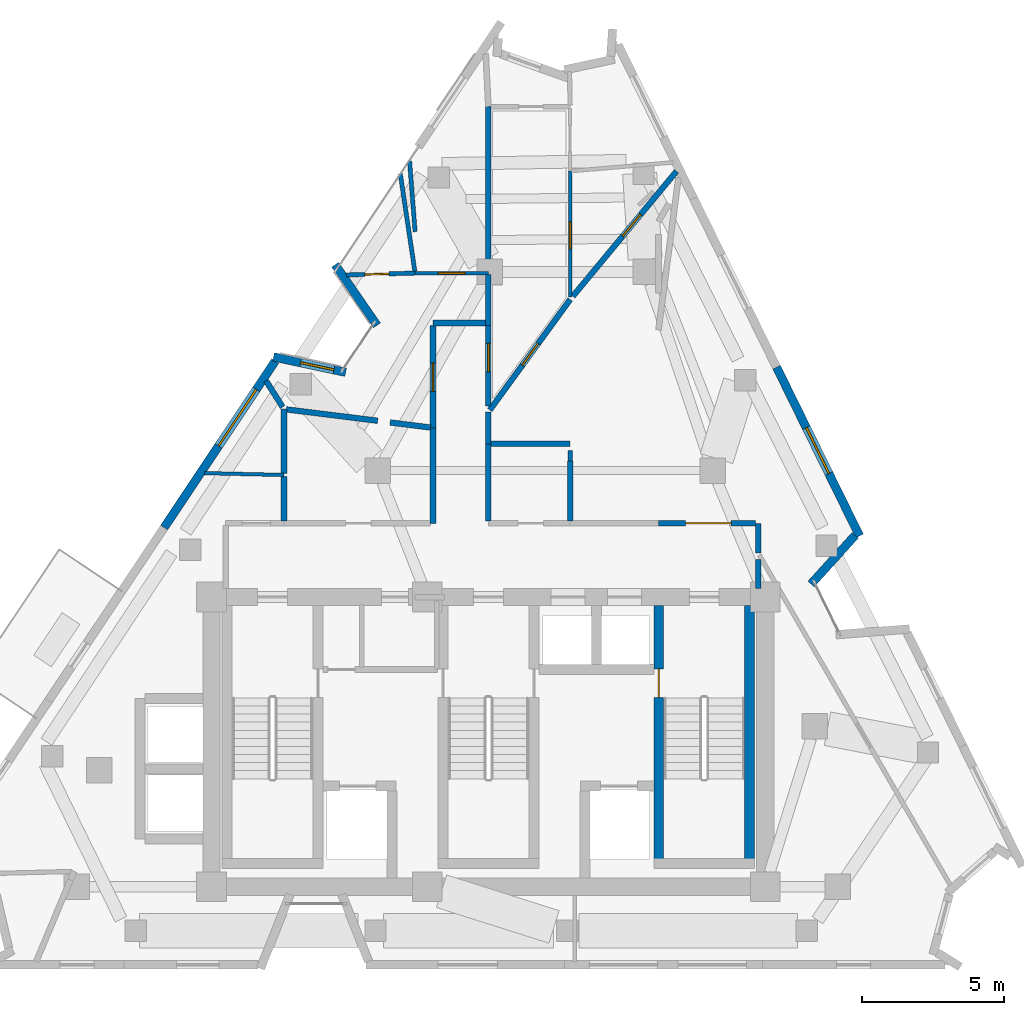
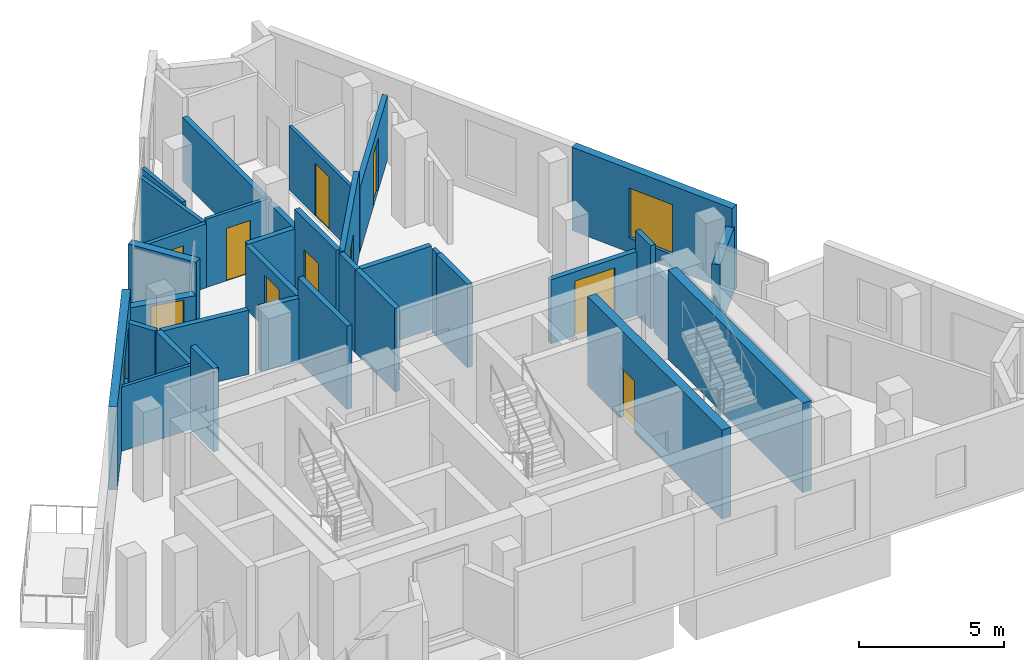
# One storey, part 6 of 10: 34 walls, 9 doors, 3 windows, 12 openings.
"""IFC4 building model written with IfcOpenShell, lengths in metres."""

from ifc_helpers import new_model, si_unit, direction, frame, frame_2d, origin, place, context, subcontext, project, spatial, rectangle, extrude, material, layer, layer_set, type_object, element, fill, save


model = new_model("IFC4")

# Units and contexts
model_context = context("Model", 3, precision=1e-05, world=origin(), true_north=direction((0.0, 1.0)))
body_context = subcontext(model_context, "Body", "Model", "MODEL_VIEW")
ifc_project = project(units=[si_unit("LENGTHUNIT", "METRE"), si_unit("AREAUNIT", "SQUARE_METRE"), si_unit("VOLUMEUNIT", "CUBIC_METRE"), si_unit("PLANEANGLEUNIT", "RADIAN"), si_unit("MASSUNIT", "GRAM", prefix="KILO")], contexts=[model_context])

# Site, building, storey
site_placement = place(None, origin())
site = spatial("IfcSite", under=ifc_project, at=site_placement, CompositionType="ELEMENT")
building_placement = place(site_placement, origin())
building = spatial("IfcBuilding", under=site, at=building_placement, Name="Almagre Mirador Tower", CompositionType="ELEMENT")
storey_placement = place(building_placement, frame((0.0, 0.0, 270.75)))
storey = spatial("IfcBuildingStorey", under=building, at=storey_placement, Name="L70", CompositionType="ELEMENT", Elevation=270.75)

# Wall, opening, window
ifc_material_1 = material(Name="Precast concrete C50/60", Category="concrete")
ifc_layer_1 = layer(ifc_material_1, 0.300048828125)
ifc_layer_set_1 = layer_set([ifc_layer_1], Name="Precast concrete C50/60")
wall_type_1 = type_object("IfcWallType", Name="WAL-EXT-300", PredefinedType="SOLIDWALL", material=ifc_layer_set_1)
wall_1_placement = place(storey_placement, frame((29.735107421875, 23.208251953125, 0.0), z_axis=(0.0, 0.0, 1.0), x_axis=(0.978045557022, -0.208391190766, 0.0)))
wall_1 = element("IfcWall", 1, at=wall_1_placement, inside=storey, type_object=wall_type_1, Name="L70 expressed almagre precast frame wall 01", PredefinedType="SOLIDWALL", context=body_context, shape_type="SweptSolid", body=[
    extrude(rectangle(XDim=2.59375, YDim=0.300048828125, at=frame_2d((1.296875, 0.0))), origin(), (0.0, 0.0, 1.0), 2.696044921875),
])
opening_1_placement = place(wall_1_placement, frame((0.97265625, 0.0, 0.800048828125)))
opening_1 = element("IfcOpeningElement", 2, at=opening_1_placement, cuts=wall_1, Name="Opening WN-04", PredefinedType="OPENING", context=body_context, shape_type="SweptSolid", body=[
    extrude(rectangle(XDim=1.199951171875, YDim=1.800048828125, at=frame_2d((0.60009765625, 0.89990234375))), frame((0.0, 0.159902, 0.0), z_axis=(0.0, -1.0, 0.0), x_axis=(1.0, 0.0, 0.0)), (0.0, 0.0, 1.0), 0.320049),
])
ifc_material_2 = material(Name="Dark solar-control laminated hurricane glass", Category="glass")
window_type_1 = type_object("IfcWindowType", Name="WIN-1200X1800", PartitioningType="SINGLE_PANEL", PredefinedType="WINDOW", material=ifc_material_2)
window_1_placement = place(opening_1_placement, origin())
window_1 = element("IfcWindow", 3, at=window_1_placement, inside=storey, type_object=window_type_1, Name="L70 recessed hurricane window UG-ST", OverallHeight=1.800048828125, OverallWidth=1.199951171875, PartitioningType="SINGLE_PANEL", PredefinedType="WINDOW", context=body_context, shape_type="SweptSolid", body=[
    extrude(rectangle(XDim=1.199951171875, YDim=1.800048828125, at=frame_2d((0.60009765625, 0.89990234375))), frame((0.0, 0.030029296875, 0.0), z_axis=(0.0, -1.0, 0.0), x_axis=(1.0, 0.0, 0.0)), (0.0, 0.0, 1.0), 0.06005859375),
])
fill(opening_1, window_1)

# Wall
wall_2_placement = place(storey_placement, frame((33.37548828125, 24.31982421875, 0.0), z_axis=(0.0, 0.0, 1.0), x_axis=(-0.567814329896, 0.823156659916, 0.0)))
element("IfcWall", 4, at=wall_2_placement, inside=storey, type_object=wall_type_1, Name="L70 expressed almagre precast frame wall 02", PredefinedType="SOLIDWALL", context=body_context, shape_type="SweptSolid", body=[
    extrude(rectangle(XDim=2.593994140625, YDim=0.300048828125, at=frame_2d((1.296875, 0.0))), origin(), (0.0, 0.0, 1.0), 2.696044921875),
])

# Wall, opening, window
wall_3_placement = place(storey_placement, frame((47.44970703125, 22.848388671875, 0.0), z_axis=(0.0, 0.0, 1.0), x_axis=(0.441291922586, -0.897363604711, 0.0)))
wall_3 = element("IfcWall", 5, at=wall_3_placement, inside=storey, type_object=wall_type_1, Name="L70 expressed almagre precast frame wall 10", PredefinedType="SOLIDWALL", context=body_context, shape_type="SweptSolid", body=[
    extrude(rectangle(XDim=6.6240234375, YDim=0.300048828125, at=frame_2d((3.31201171875, 0.0))), origin(), (0.0, 0.0, 1.0), 3.5),
])
opening_2_placement = place(wall_3_placement, frame((2.375, 0.0, 0.60009765625)))
opening_2 = element("IfcOpeningElement", 6, at=opening_2_placement, cuts=wall_3, Name="Opening WN-01", PredefinedType="OPENING", context=body_context, shape_type="SweptSolid", body=[
    extrude(rectangle(XDim=1.800048828125, YDim=2.10009765625, at=frame_2d((0.89990234375, 1.050048828125))), frame((0.0, 0.159902, 0.0), z_axis=(0.0, -1.0, 0.0), x_axis=(1.0, 0.0, 0.0)), (0.0, 0.0, 1.0), 0.320049),
])
ifc_material_3 = material(Name="Dark solar-control laminated hurricane glass", Category="glass")
window_type_2 = type_object("IfcWindowType", Name="WIN-1800X2100", PartitioningType="DOUBLE_PANEL_VERTICAL", PredefinedType="WINDOW", material=ifc_material_3)
window_2_placement = place(opening_2_placement, origin())
window_2 = element("IfcWindow", 7, at=window_2_placement, inside=storey, type_object=window_type_2, Name="L70 recessed hurricane window L70-RST-F", OverallHeight=2.10009765625, OverallWidth=1.800048828125, PartitioningType="SINGLE_PANEL", PredefinedType="WINDOW", context=body_context, shape_type="SweptSolid", body=[
    extrude(rectangle(XDim=1.800048828125, YDim=2.10009765625, at=frame_2d((0.89990234375, 1.050048828125))), frame((0.0, 0.030029296875, 0.0), z_axis=(0.0, -1.0, 0.0), x_axis=(1.0, 0.0, 0.0)), (0.0, 0.0, 1.0), 0.06005859375),
])
fill(opening_2, window_2)

# Wall
wall_4_placement = place(storey_placement, frame((50.217041015625, 16.926025390625, 0.0), z_axis=(0.0, 0.0, 1.0), x_axis=(-0.670816609781, -0.741623270968, 0.0)))
element("IfcWall", 8, at=wall_4_placement, inside=storey, type_object=wall_type_1, Name="L70 expressed almagre precast frame wall 11", PredefinedType="SOLIDWALL", context=body_context, shape_type="SweptSolid", body=[
    extrude(rectangle(XDim=2.313720703125, YDim=0.300048828125, at=frame_2d((1.15673828125, 0.0))), origin(), (0.0, 0.0, 1.0), 2.696044921875),
])

# Wall, opening, window
wall_5_placement = place(storey_placement, frame((25.880859375, 17.200439453125, 0.0), z_axis=(0.0, 0.0, 1.0), x_axis=(0.555219664778, 0.831703747643, 0.0)))
wall_5 = element("IfcWall", 9, at=wall_5_placement, inside=storey, type_object=wall_type_1, Name="L70 expressed almagre precast frame wall 32", PredefinedType="SOLIDWALL", context=body_context, shape_type="SweptSolid", body=[
    extrude(rectangle(XDim=7.04833984375, YDim=0.300048828125, at=frame_2d((3.524169921875, 0.0))), origin(), (0.0, 0.0, 1.0), 3.5),
])
opening_3_placement = place(wall_5_placement, frame((3.449951171875, 0.0, 0.60009765625)))
opening_3 = element("IfcOpeningElement", 10, at=opening_3_placement, cuts=wall_5, Name="Opening WN-02", PredefinedType="OPENING", context=body_context, shape_type="SweptSolid", body=[
    extrude(rectangle(XDim=2.39990234375, YDim=2.10009765625, at=frame_2d((1.199951171875, 1.050048828125))), frame((0.0, 0.159902, 0.0), z_axis=(0.0, -1.0, 0.0), x_axis=(1.0, 0.0, 0.0)), (0.0, 0.0, 1.0), 0.320049),
])
ifc_material_4 = material(Name="Dark solar-control laminated hurricane glass", Category="glass")
window_type_3 = type_object("IfcWindowType", Name="WIN-2400X2100", PartitioningType="TRIPLE_PANEL_VERTICAL", PredefinedType="WINDOW", material=ifc_material_4)
window_3_placement = place(opening_3_placement, origin())
window_3 = element("IfcWindow", 11, at=window_3_placement, inside=storey, type_object=window_type_3, Name="L70 recessed hurricane window L70-UD-KT", OverallHeight=2.10009765625, OverallWidth=2.39990234375, PartitioningType="SINGLE_PANEL", PredefinedType="WINDOW", context=body_context, shape_type="SweptSolid", body=[
    extrude(rectangle(XDim=2.39990234375, YDim=2.10009765625, at=frame_2d((1.199951171875, 1.050048828125))), frame((0.0, 0.030029296875, 0.0), z_axis=(0.0, -1.0, 0.0), x_axis=(1.0, 0.0, 0.0)), (0.0, 0.0, 1.0), 0.06005859375),
])
fill(opening_3, window_3)

# Wall
ifc_material_5 = material(Name="Gypsum acoustic stud partition", Category="other")
ifc_layer_2 = layer(ifc_material_5, 0.125)
ifc_layer_set_2 = layer_set([ifc_layer_2], Name="Gypsum acoustic stud partition")
wall_type_2 = type_object("IfcWallType", Name="WAL-PRT-125-UTL", PredefinedType="PARTITIONING", material=ifc_layer_set_2)
wall_6_placement = place(storey_placement, frame((30.10009765625, 19.050048828125, 0.0), z_axis=(0.0, 0.0, 1.0), x_axis=(-0.99972281558, 0.023543406909, 0.0)))
element("IfcWall", 12, at=wall_6_placement, inside=storey, type_object=wall_type_2, Name="L70 interior partition 026", PredefinedType="PARTITIONING", context=body_context, shape_type="SweptSolid", body=[
    extrude(rectangle(XDim=2.7998046875, YDim=0.125, at=frame_2d((1.39990234375, 0.0))), origin(), (0.0, 0.0, 1.0), 2.69091796875),
])

# Wall, opening, door
wall_7_placement = place(storey_placement, frame((37.300048828125, 26.159912109375, 0.0), z_axis=(0.0, 0.0, 1.0), x_axis=(-1.0, 0.0, 0.0)))
wall_7 = element("IfcWall", 13, at=wall_7_placement, inside=storey, type_object=wall_type_2, Name="L70 interior partition 036", PredefinedType="PARTITIONING", context=body_context, shape_type="SweptSolid", body=[
    extrude(rectangle(XDim=2.580078125, YDim=0.125, at=frame_2d((1.2900390625, 0.0))), origin(), (0.0, 0.0, 1.0), 2.862060546875),
])
opening_4_placement = place(wall_7_placement, frame((0.81494140625, 0.0, 0.0)))
opening_4 = element("IfcOpeningElement", 14, at=opening_4_placement, cuts=wall_7, Name="Opening UD-01", PredefinedType="OPENING", context=body_context, shape_type="SweptSolid", body=[
    extrude(rectangle(XDim=0.949951171875, YDim=2.199951171875, at=frame_2d((0.47509765625, 1.10009765625))), frame((0.0, 0.0725, 0.0), z_axis=(0.0, -1.0, 0.0), x_axis=(1.0, 0.0, 0.0)), (0.0, 0.0, 1.0), 0.145),
])
ifc_material_6 = material(Name="Solid American walnut timber", Category="wood")
door_type_1 = type_object("IfcDoorType", Name="DOR-UNR-950X2200", OperationType="NOTDEFINED", PredefinedType="DOOR", material=ifc_material_6)
door_1_placement = place(opening_4_placement, origin())
door_1 = element("IfcDoor", 15, at=door_1_placement, inside=storey, type_object=door_type_1, Name="DR-2128 L70 interior door L70-UG-ST to L70-UG-KT", OperationType="SINGLE_SWING_RIGHT", OverallHeight=2.199951171875, OverallWidth=0.949951171875, PredefinedType="DOOR", context=body_context, shape_type="SweptSolid", body=[
    extrude(rectangle(XDim=0.949951171875, YDim=2.199951171875, at=frame_2d((0.47509765625, 1.10009765625))), frame((0.0, 0.02490234375, 0.0), z_axis=(0.0, -1.0, 0.0), x_axis=(1.0, 0.0, 0.0)), (0.0, 0.0, 1.0), 0.050048828125),
])
fill(opening_4, door_1)

wall_8_placement = place(storey_placement, frame((40.179931640625, 25.31494140625, 0.0), z_axis=(0.0, 0.0, 1.0), x_axis=(0.0, 1.0, 0.0)))
wall_8 = element("IfcWall", 16, at=wall_8_placement, inside=storey, type_object=wall_type_2, Name="L70 interior partition 046", PredefinedType="PARTITIONING", context=body_context, shape_type="SweptSolid", body=[
    extrude(rectangle(XDim=4.43505859375, YDim=0.125, at=frame_2d((2.217529296875, 0.0))), origin(), (0.0, 0.0, 1.0), 2.68505859375),
])
opening_5_placement = place(wall_8_placement, frame((1.699951171875, 0.0, 0.0)))
opening_5 = element("IfcOpeningElement", 17, at=opening_5_placement, cuts=wall_8, Name="Opening UD-01", PredefinedType="OPENING", context=body_context, shape_type="SweptSolid", body=[
    extrude(rectangle(XDim=0.949951171875, YDim=2.199951171875, at=frame_2d((0.47509765625, 1.10009765625))), frame((0.0, 0.0725, 0.0), z_axis=(0.0, -1.0, 0.0), x_axis=(1.0, 0.0, 0.0)), (0.0, 0.0, 1.0), 0.145),
])
door_2_placement = place(opening_5_placement, origin())
door_2 = element("IfcDoor", 18, at=door_2_placement, inside=storey, type_object=door_type_1, Name="DR-2131 L70 interior door L70-UJ-LV to L70-UJ-KT", OperationType="SINGLE_SWING_LEFT", OverallHeight=2.199951171875, OverallWidth=0.949951171875, PredefinedType="DOOR", context=body_context, shape_type="SweptSolid", body=[
    extrude(rectangle(XDim=0.949951171875, YDim=2.199951171875, at=frame_2d((0.47509765625, 1.10009765625))), frame((0.0, 0.02490234375, 0.0), z_axis=(0.0, -1.0, 0.0), x_axis=(1.0, 0.0, 0.0)), (0.0, 0.0, 1.0), 0.050048828125),
])
fill(opening_5, door_2)

ifc_material_7 = material(Name="Gypsum acoustic stud partition", Category="other")
ifc_layer_3 = layer(ifc_material_7, 0.14990234375)
ifc_layer_set_3 = layer_set([ifc_layer_3], Name="Gypsum acoustic stud partition")
wall_type_3 = type_object("IfcWallType", Name="WAL-PRT-150-STD", PredefinedType="PARTITIONING", material=ifc_layer_set_3)
wall_9_placement = place(storey_placement, frame((34.719970703125, 26.159912109375, 0.0), z_axis=(0.0, 0.0, 1.0), x_axis=(-0.999630770767, -0.027172083772, 0.0)))
wall_9 = element("IfcWall", 19, at=wall_9_placement, inside=storey, type_object=wall_type_3, Name="L70 interior partition 035", PredefinedType="PARTITIONING", context=body_context, shape_type="SweptSolid", body=[
    extrude(rectangle(XDim=2.426025390625, YDim=0.14990234375, at=frame_2d((1.212890625, 0.0))), origin(), (0.0, 0.0, 1.0), 2.69091796875),
])
opening_6_placement = place(wall_9_placement, frame((0.9208984375, 0.0, 0.0)))
opening_6 = element("IfcOpeningElement", 20, at=opening_6_placement, cuts=wall_9, Name="Opening UD-04", PredefinedType="OPENING", context=body_context, shape_type="SweptSolid", body=[
    extrude(rectangle(XDim=0.85009765625, YDim=2.10009765625, at=frame_2d((0.425048828125, 1.050048828125))), frame((0.0, 0.084951, 0.0), z_axis=(0.0, -1.0, 0.0), x_axis=(1.0, 0.0, 0.0)), (0.0, 0.0, 1.0), 0.169902),
])
ifc_material_8 = material(Name="Moisture-resistant oak timber", Category="wood")
door_type_2 = type_object("IfcDoorType", Name="DOR-UNR-850X2100", OperationType="NOTDEFINED", PredefinedType="DOOR", material=ifc_material_8)
door_3_placement = place(opening_6_placement, origin())
door_3 = element("IfcDoor", 21, at=door_3_placement, inside=storey, type_object=door_type_2, Name="DR-2129 L70 interior door L70-UG-ST to L70-UG-BT", OperationType="SINGLE_SWING_LEFT", OverallHeight=2.10009765625, OverallWidth=0.85009765625, PredefinedType="DOOR", context=body_context, shape_type="SweptSolid", body=[
    extrude(rectangle(XDim=0.85009765625, YDim=2.10009765625, at=frame_2d((0.425048828125, 1.050048828125))), frame((0.0, 0.02490234375, 0.0), z_axis=(0.0, -1.0, 0.0), x_axis=(1.0, 0.0, 0.0)), (0.0, 0.0, 1.0), 0.050048828125),
])
fill(opening_6, door_3)

# Walls
wall_10_placement = place(storey_placement, frame((34.711181640625, 26.21923828125, 0.0), z_axis=(0.0, 0.0, 1.0), x_axis=(-0.147561165672, 0.989052932044, 0.0)))
element("IfcWall", 22, at=wall_10_placement, inside=storey, type_object=wall_type_3, Name="L70 interior partition 038", PredefinedType="PARTITIONING", context=body_context, shape_type="SweptSolid", body=[
    extrude(rectangle(XDim=3.477783203125, YDim=0.14990234375, at=frame_2d((1.73876953125, 0.0))), origin(), (0.0, 0.0, 1.0), 2.69091796875),
])
wall_11_placement = place(storey_placement, frame((34.719970703125, 27.616943359375, 0.0), z_axis=(0.0, 0.0, 1.0), x_axis=(-0.07822367975, 0.996935833405, 0.0)))
element("IfcWall", 23, at=wall_11_placement, inside=storey, type_object=wall_type_3, Name="L70 interior partition 054", PredefinedType="PARTITIONING", context=body_context, shape_type="SweptSolid", body=[
    extrude(rectangle(XDim=2.49365234375, YDim=0.14990234375, at=frame_2d((1.246826171875, 0.0))), origin(), (0.0, 0.0, 1.0), 2.69091796875),
])
wall_12_placement = place(storey_placement, frame((40.179931640625, 19.550048828125, 0.0), z_axis=(0.0, 0.0, 1.0), x_axis=(0.0, 1.0, 0.0)))
element("IfcWall", 24, at=wall_12_placement, inside=storey, type_object=wall_type_3, Name="L70 interior partition 055", PredefinedType="PARTITIONING", context=body_context, shape_type="SweptSolid", body=[
    extrude(rectangle(XDim=0.35986328125, YDim=0.14990234375, at=frame_2d((0.179931640625, 0.0))), origin(), (0.0, 0.0, 1.0), 3.5),
])
ifc_material_9 = material(Name="Gypsum acoustic stud partition", Category="other")
ifc_layer_4 = layer(ifc_material_9, 0.199951171875)
ifc_layer_set_4 = layer_set([ifc_layer_4], Name="Gypsum acoustic stud partition")
wall_type_4 = type_object("IfcWallType", Name="WAL-PRT-200-EI60", PredefinedType="PARTITIONING", material=ifc_layer_set_4)
wall_13_placement = place(storey_placement, frame((46.800048828125, 15.050048828125, 0.0), z_axis=(0.0, 0.0, 1.0), x_axis=(0.0, 1.0, 0.0)))
element("IfcWall", 25, at=wall_13_placement, inside=storey, type_object=wall_type_4, Name="L70 interior partition 001", PredefinedType="PARTITIONING", context=body_context, shape_type="SweptSolid", body=[
    extrude(rectangle(XDim=1.030029296875, YDim=0.199951171875, at=frame_2d((0.51513671875, 0.0))), origin(), (0.0, 0.0, 1.0), 2.68505859375),
])
wall_14_placement = place(storey_placement, frame((35.35009765625, 20.7099609375, 0.0), z_axis=(0.0, 0.0, 1.0), x_axis=(0.0, -1.0, 0.0)))
element("IfcWall", 26, at=wall_14_placement, inside=storey, type_object=wall_type_4, Name="L70 interior partition 004", PredefinedType="PARTITIONING", context=body_context, shape_type="SweptSolid", body=[
    extrude(rectangle(XDim=3.35986328125, YDim=0.199951171875, at=frame_2d((1.679931640625, 0.0))), origin(), (0.0, 0.0, 1.0), 3.5),
])
wall_15_placement = place(storey_placement, frame((46.800048828125, 16.300048828125, 0.0), z_axis=(0.0, 0.0, 1.0), x_axis=(0.0, 1.0, 0.0)))
element("IfcWall", 27, at=wall_15_placement, inside=storey, type_object=wall_type_4, Name="L70 interior partition 006", PredefinedType="PARTITIONING", context=body_context, shape_type="SweptSolid", body=[
    extrude(rectangle(XDim=1.050048828125, YDim=0.199951171875, at=frame_2d((0.52490234375, 0.0))), origin(), (0.0, 0.0, 1.0), 3.5),
])

# Wall, opening, door
wall_16_placement = place(storey_placement, frame((46.715087890625, 17.35009765625, 0.0), z_axis=(0.0, 0.0, 1.0), x_axis=(-1.0, 0.0, 0.0)))
wall_16 = element("IfcWall", 28, at=wall_16_placement, inside=storey, type_object=wall_type_4, Name="L70 interior partition 007", PredefinedType="PARTITIONING", context=body_context, shape_type="SweptSolid", body=[
    extrude(rectangle(XDim=3.425048828125, YDim=0.199951171875, at=frame_2d((1.71240234375, 0.0))), origin(), (0.0, 0.0, 1.0), 2.68505859375),
])
opening_7_placement = place(wall_16_placement, frame((0.8701171875, 0.0, 0.0)))
opening_7 = element("IfcOpeningElement", 29, at=opening_7_placement, cuts=wall_16, Name="Opening ID-05", PredefinedType="OPENING", context=body_context, shape_type="SweptSolid", body=[
    extrude(rectangle(XDim=1.60009765625, YDim=2.300048828125, at=frame_2d((0.800048828125, 1.14990234375))), frame((0.0, 0.110098, 0.0), z_axis=(0.0, -1.0, 0.0), x_axis=(1.0, 0.0, 0.0)), (0.0, 0.0, 1.0), 0.219951),
])
ifc_material_10 = material(Name="Fire-rated acoustic timber", Category="wood")
door_type_3 = type_object("IfcDoorType", Name="DOR-FD60-1600X2300", OperationType="DOUBLE_DOOR_SINGLE_SWING", PredefinedType="DOOR", material=ifc_material_10)
door_4_placement = place(opening_7_placement, origin())
door_4 = element("IfcDoor", 30, at=door_4_placement, inside=storey, type_object=door_type_3, Name="DR-2124 L70 interior door L70-RCOR to L70-RST-F", OperationType="DOUBLE_DOOR_SINGLE_SWING", OverallHeight=2.300048828125, OverallWidth=1.60009765625, PredefinedType="DOOR", context=body_context, shape_type="SweptSolid", body=[
    extrude(rectangle(XDim=1.60009765625, YDim=2.300048828125, at=frame_2d((0.800048828125, 1.14990234375))), frame((0.0, 0.02490234375, 0.0), z_axis=(0.0, -1.0, 0.0), x_axis=(1.0, 0.0, 0.0)), (0.0, 0.0, 1.0), 0.050048828125),
])
fill(opening_7, door_4)

# Wall
wall_17_placement = place(storey_placement, frame((37.2548828125, 24.39990234375, 0.0), z_axis=(0.0, 0.0, 1.0), x_axis=(-1.0, 0.0, 0.0)))
element("IfcWall", 31, at=wall_17_placement, inside=storey, type_object=wall_type_4, Name="L70 interior partition 008", PredefinedType="PARTITIONING", context=body_context, shape_type="SweptSolid", body=[
    extrude(rectangle(XDim=1.90478515625, YDim=0.199951171875, at=frame_2d((0.952392578125, 0.0))), origin(), (0.0, 0.0, 1.0), 2.68505859375),
])

# Wall, opening, door
wall_18_placement = place(storey_placement, frame((35.35009765625, 24.31494140625, 0.0), z_axis=(0.0, 0.0, 1.0), x_axis=(0.0, -1.0, 0.0)))
wall_18 = element("IfcWall", 32, at=wall_18_placement, inside=storey, type_object=wall_type_4, Name="L70 interior partition 009", PredefinedType="PARTITIONING", context=body_context, shape_type="SweptSolid", body=[
    extrude(rectangle(XDim=3.60498046875, YDim=0.199951171875, at=frame_2d((1.802490234375, 0.0))), origin(), (0.0, 0.0, 1.0), 2.68505859375),
])
opening_8_placement = place(wall_18_placement, frame((1.3173828125, 0.0, 0.0)))
opening_8 = element("IfcOpeningElement", 33, at=opening_8_placement, cuts=wall_18, Name="Opening ID-01", PredefinedType="OPENING", context=body_context, shape_type="SweptSolid", body=[
    extrude(rectangle(XDim=1.0, YDim=2.199951171875, at=frame_2d((0.5, 1.10009765625))), frame((0.0, 0.110098, 0.0), z_axis=(0.0, -1.0, 0.0), x_axis=(1.0, 0.0, 0.0)), (0.0, 0.0, 1.0), 0.219951),
])
ifc_material_11 = material(Name="Fire-rated walnut timber", Category="wood")
door_type_4 = type_object("IfcDoorType", Name="DOR-FD60-1000X2200", OperationType="NOTDEFINED", PredefinedType="DOOR", material=ifc_material_11)
door_5_placement = place(opening_8_placement, origin())
door_5 = element("IfcDoor", 34, at=door_5_placement, inside=storey, type_object=door_type_4, Name="DR-2127 L70 interior door L70-RCOR to L70-UG-ST", OperationType="SINGLE_SWING_LEFT", OverallHeight=2.199951171875, OverallWidth=1.0, PredefinedType="DOOR", context=body_context, shape_type="SweptSolid", body=[
    extrude(rectangle(XDim=1.0, YDim=2.199951171875, at=frame_2d((0.5, 1.10009765625))), frame((0.0, 0.02490234375, 0.0), z_axis=(0.0, -1.0, 0.0), x_axis=(1.0, 0.0, 0.0)), (0.0, 0.0, 1.0), 0.050048828125),
])
fill(opening_8, door_5)

# Walls
wall_19_placement = place(storey_placement, frame((37.300048828125, 17.43505859375, 0.0), z_axis=(0.0, 0.0, 1.0), x_axis=(0.0, 1.0, 0.0)))
element("IfcWall", 35, at=wall_19_placement, inside=storey, type_object=wall_type_4, Name="L70 interior partition 011", PredefinedType="PARTITIONING", context=body_context, shape_type="SweptSolid", body=[
    extrude(rectangle(XDim=2.71484375, YDim=0.199951171875, at=frame_2d((1.357421875, 0.0))), origin(), (0.0, 0.0, 1.0), 3.5),
])
wall_20_placement = place(storey_placement, frame((37.300048828125, 20.14990234375, 0.0), z_axis=(0.0, 0.0, 1.0), x_axis=(0.0, 1.0, 0.0)))
element("IfcWall", 36, at=wall_20_placement, inside=storey, type_object=wall_type_4, Name="L70 interior partition 012", PredefinedType="PARTITIONING", context=body_context, shape_type="SweptSolid", body=[
    extrude(rectangle(XDim=1.1201171875, YDim=0.199951171875, at=frame_2d((0.56005859375, 0.0))), origin(), (0.0, 0.0, 1.0), 3.5),
])

# Wall, opening, door
wall_21_placement = place(storey_placement, frame((37.300048828125, 21.47998046875, 0.0), z_axis=(0.0, 0.0, 1.0), x_axis=(0.0, 1.0, 0.0)))
wall_21 = element("IfcWall", 37, at=wall_21_placement, inside=storey, type_object=wall_type_4, Name="L70 interior partition 014", PredefinedType="PARTITIONING", context=body_context, shape_type="SweptSolid", body=[
    extrude(rectangle(XDim=2.8349609375, YDim=0.199951171875, at=frame_2d((1.41748046875, 0.0))), origin(), (0.0, 0.0, 1.0), 3.5),
])
opening_9_placement = place(wall_21_placement, frame((1.201904296875, 0.0, 0.0)))
opening_9 = element("IfcOpeningElement", 38, at=opening_9_placement, cuts=wall_21, Name="Opening ID-01", PredefinedType="OPENING", context=body_context, shape_type="SweptSolid", body=[
    extrude(rectangle(XDim=1.0, YDim=2.199951171875, at=frame_2d((0.5, 1.10009765625))), frame((0.0, 0.110098, 0.0), z_axis=(0.0, -1.0, 0.0), x_axis=(1.0, 0.0, 0.0)), (0.0, 0.0, 1.0), 0.219951),
])
door_6_placement = place(opening_9_placement, origin())
door_6 = element("IfcDoor", 39, at=door_6_placement, inside=storey, type_object=door_type_4, Name="DR-2130 L70 interior door L70-RCOR to L70-UJ-LV", OperationType="SINGLE_SWING_RIGHT", OverallHeight=2.199951171875, OverallWidth=1.0, PredefinedType="DOOR", context=body_context, shape_type="SweptSolid", body=[
    extrude(rectangle(XDim=1.0, YDim=2.199951171875, at=frame_2d((0.5, 1.10009765625))), frame((0.0, 0.02490234375, 0.0), z_axis=(0.0, -1.0, 0.0), x_axis=(1.0, 0.0, 0.0)), (0.0, 0.0, 1.0), 0.050048828125),
])
fill(opening_9, door_6)

# Walls
wall_22_placement = place(storey_placement, frame((30.10009765625, 17.43505859375, 0.0), z_axis=(0.0, 0.0, 1.0), x_axis=(0.0, 1.0, 0.0)))
element("IfcWall", 40, at=wall_22_placement, inside=storey, type_object=wall_type_4, Name="L70 interior partition 028", PredefinedType="PARTITIONING", context=body_context, shape_type="SweptSolid", body=[
    extrude(rectangle(XDim=1.5673828125, YDim=0.199951171875, at=frame_2d((0.78369140625, 0.0))), origin(), (0.0, 0.0, 1.0), 3.5),
])
wall_23_placement = place(storey_placement, frame((30.10009765625, 19.097412109375, 0.0), z_axis=(0.0, 0.0, 1.0), x_axis=(0.0, 1.0, 0.0)))
element("IfcWall", 41, at=wall_23_placement, inside=storey, type_object=wall_type_4, Name="L70 interior partition 029", PredefinedType="PARTITIONING", context=body_context, shape_type="SweptSolid", body=[
    extrude(rectangle(XDim=2.272705078125, YDim=0.199951171875, at=frame_2d((1.13623046875, 0.0))), origin(), (0.0, 0.0, 1.0), 2.69091796875),
])
wall_24_placement = place(storey_placement, frame((30.055419921875, 21.4423828125, 0.0), z_axis=(0.0, 0.0, 1.0), x_axis=(-0.535153122092, 0.844755074513, 0.0)))
element("IfcWall", 42, at=wall_24_placement, inside=storey, type_object=wall_type_4, Name="L70 interior partition 030", PredefinedType="PARTITIONING", context=body_context, shape_type="SweptSolid", body=[
    extrude(rectangle(XDim=1.092041015625, YDim=0.199951171875, at=frame_2d((0.5458984375, 0.0))), origin(), (0.0, 0.0, 1.0), 2.69091796875),
])
wall_25_placement = place(storey_placement, frame((33.39990234375, 20.9599609375, 0.0), z_axis=(0.0, 0.0, 1.0), x_axis=(-0.99236456913, 0.123339214916, 0.0)))
element("IfcWall", 43, at=wall_25_placement, inside=storey, type_object=wall_type_4, Name="L70 interior partition 031", PredefinedType="PARTITIONING", context=body_context, shape_type="SweptSolid", body=[
    extrude(rectangle(XDim=3.240234375, YDim=0.199951171875, at=frame_2d((1.6201171875, 0.0))), origin(), (0.0, 0.0, 1.0), 2.69091796875),
])
wall_26_placement = place(storey_placement, frame((35.265625, 20.720703125, 0.0), z_axis=(0.0, 0.0, 1.0), x_axis=(-0.992191367148, 0.124724861018, 0.0)))
element("IfcWall", 44, at=wall_26_placement, inside=storey, type_object=wall_type_4, Name="L70 interior partition 032", PredefinedType="PARTITIONING", context=body_context, shape_type="SweptSolid", body=[
    extrude(rectangle(XDim=1.436767578125, YDim=0.199951171875, at=frame_2d((0.71826171875, 0.0))), origin(), (0.0, 0.0, 1.0), 2.68505859375),
])
wall_27_placement = place(storey_placement, frame((37.300048828125, 24.320068359375, 0.0), z_axis=(0.0, 0.0, 1.0), x_axis=(0.0, 1.0, 0.0)))
element("IfcWall", 45, at=wall_27_placement, inside=storey, type_object=wall_type_4, Name="L70 interior partition 037", PredefinedType="PARTITIONING", context=body_context, shape_type="SweptSolid", body=[
    extrude(rectangle(XDim=1.79248046875, YDim=0.199951171875, at=frame_2d((0.896240234375, 0.0))), origin(), (0.0, 0.0, 1.0), 2.68505859375),
])
wall_28_placement = place(storey_placement, frame((37.300048828125, 26.20751953125, 0.0), z_axis=(0.0, 0.0, 1.0), x_axis=(0.0, 1.0, 0.0)))
element("IfcWall", 46, at=wall_28_placement, inside=storey, type_object=wall_type_4, Name="L70 interior partition 039", PredefinedType="PARTITIONING", context=body_context, shape_type="SweptSolid", body=[
    extrude(rectangle(XDim=5.8125, YDim=0.199951171875, at=frame_2d((2.90625, 0.0))), origin(), (0.0, 0.0, 1.0), 2.69091796875),
])
wall_29_placement = place(storey_placement, frame((40.179931640625, 20.14990234375, 0.0), z_axis=(0.0, 0.0, 1.0), x_axis=(-1.0, 0.0, 0.0)))
element("IfcWall", 47, at=wall_29_placement, inside=storey, type_object=wall_type_4, Name="L70 interior partition 041", PredefinedType="PARTITIONING", context=body_context, shape_type="SweptSolid", body=[
    extrude(rectangle(XDim=2.794921875, YDim=0.199951171875, at=frame_2d((1.3974609375, 0.0))), origin(), (0.0, 0.0, 1.0), 3.5),
])
wall_30_placement = place(storey_placement, frame((40.179931640625, 17.43505859375, 0.0), z_axis=(0.0, 0.0, 1.0), x_axis=(0.0, 1.0, 0.0)))
element("IfcWall", 48, at=wall_30_placement, inside=storey, type_object=wall_type_4, Name="L70 interior partition 042", PredefinedType="PARTITIONING", context=body_context, shape_type="SweptSolid", body=[
    extrude(rectangle(XDim=2.114990234375, YDim=0.199951171875, at=frame_2d((1.0576171875, 0.0))), origin(), (0.0, 0.0, 1.0), 3.5),
])

# Wall, opening, door
wall_31_placement = place(storey_placement, frame((40.179931640625, 25.22998046875, 0.0), z_axis=(0.0, 0.0, 1.0), x_axis=(-0.588138509847, -0.808760219864, 0.0)))
wall_31 = element("IfcWall", 49, at=wall_31_placement, inside=storey, type_object=wall_type_4, Name="L70 interior partition 043", PredefinedType="PARTITIONING", context=body_context, shape_type="SweptSolid", body=[
    extrude(rectangle(XDim=4.8115234375, YDim=0.199951171875, at=frame_2d((2.40576171875, 0.0))), origin(), (0.0, 0.0, 1.0), 3.5),
])
opening_10_placement = place(wall_31_placement, frame((1.9140625, 0.0, 0.0)))
opening_10 = element("IfcOpeningElement", 50, at=opening_10_placement, cuts=wall_31, Name="Opening UD-01", PredefinedType="OPENING", context=body_context, shape_type="SweptSolid", body=[
    extrude(rectangle(XDim=0.949951171875, YDim=2.199951171875, at=frame_2d((0.47509765625, 1.10009765625))), frame((0.0, 0.110098, 0.0), z_axis=(0.0, -1.0, 0.0), x_axis=(1.0, 0.0, 0.0)), (0.0, 0.0, 1.0), 0.219951),
])
door_7_placement = place(opening_10_placement, origin())
door_7 = element("IfcDoor", 51, at=door_7_placement, inside=storey, type_object=door_type_1, Name="DR-2136 L70 interior door L70-UH-KT to L70-UJ-LV", OperationType="SINGLE_SWING_RIGHT", OverallHeight=2.199951171875, OverallWidth=0.949951171875, PredefinedType="DOOR", context=body_context, shape_type="SweptSolid", body=[
    extrude(rectangle(XDim=0.949951171875, YDim=2.199951171875, at=frame_2d((0.47509765625, 1.10009765625))), frame((0.0, 0.02490234375, 0.0), z_axis=(0.0, -1.0, 0.0), x_axis=(1.0, 0.0, 0.0)), (0.0, 0.0, 1.0), 0.050048828125),
])
fill(opening_10, door_7)

wall_32_placement = place(storey_placement, frame((43.926025390625, 29.74609375, 0.0), z_axis=(0.0, 0.0, 1.0), x_axis=(-0.638469156573, -0.769647410251, 0.0)))
wall_32 = element("IfcWall", 52, at=wall_32_placement, inside=storey, type_object=wall_type_4, Name="L70 interior partition 044", PredefinedType="PARTITIONING", context=body_context, shape_type="SweptSolid", body=[
    extrude(rectangle(XDim=5.717529296875, YDim=0.199951171875, at=frame_2d((2.85888671875, 0.0))), origin(), (0.0, 0.0, 1.0), 2.68505859375),
])
opening_11_placement = place(wall_32_placement, frame((1.97216796875, 0.0, 0.0)))
opening_11 = element("IfcOpeningElement", 53, at=opening_11_placement, cuts=wall_32, Name="Opening ID-01", PredefinedType="OPENING", context=body_context, shape_type="SweptSolid", body=[
    extrude(rectangle(XDim=1.0, YDim=2.199951171875, at=frame_2d((0.5, 1.10009765625))), frame((0.0, 0.110098, 0.0), z_axis=(0.0, -1.0, 0.0), x_axis=(1.0, 0.0, 0.0)), (0.0, 0.0, 1.0), 0.219951),
])
door_8_placement = place(opening_11_placement, origin())
door_8 = element("IfcDoor", 54, at=door_8_placement, inside=storey, type_object=door_type_4, Name="DR-2134 L70 interior door L70-UH-KT to L70-UJ-KT", OperationType="SINGLE_SWING_RIGHT", OverallHeight=2.199951171875, OverallWidth=1.0, PredefinedType="DOOR", context=body_context, shape_type="SweptSolid", body=[
    extrude(rectangle(XDim=1.0, YDim=2.199951171875, at=frame_2d((0.5, 1.10009765625))), frame((0.0, 0.02490234375, 0.0), z_axis=(0.0, -1.0, 0.0), x_axis=(1.0, 0.0, 0.0)), (0.0, 0.0, 1.0), 0.050048828125),
])
fill(opening_11, door_8)

ifc_material_12 = material(Name="Concrete C60/75", Category="concrete")
ifc_layer_5 = layer(ifc_material_12, 0.35009765625)
ifc_layer_set_5 = layer_set([ifc_layer_5], Name="Concrete C60/75")
wall_type_5 = type_object("IfcWallType", Name="WAL-SHF-350", PredefinedType="SOLIDWALL", material=ifc_layer_set_5)
wall_33_placement = place(storey_placement, frame((43.300048828125, 5.199951171875, 0.0), z_axis=(0.0, 0.0, 1.0), x_axis=(0.0, 1.0, 0.0)))
wall_33 = element("IfcWall", 55, at=wall_33_placement, inside=storey, type_object=wall_type_5, Name="L70 shaft wall ST3-W", PredefinedType="SOLIDWALL", context=body_context, shape_type="SweptSolid", body=[
    extrude(rectangle(XDim=9.25, YDim=0.35009765625, at=frame_2d((4.625, 0.0))), origin(), (0.0, 0.0, 1.0), 3.75),
])
opening_12_placement = place(wall_33_placement, frame((6.02001953125, 0.0, 0.0)))
opening_12 = element("IfcOpeningElement", 56, at=opening_12_placement, cuts=wall_33, Name="Opening FD-01", PredefinedType="OPENING", context=body_context, shape_type="SweptSolid", body=[
    extrude(rectangle(XDim=1.0, YDim=2.14990234375, at=frame_2d((0.5, 1.074951171875))), frame((0.0, 0.185049, 0.0), z_axis=(0.0, -1.0, 0.0), x_axis=(1.0, 0.0, 0.0)), (0.0, 0.0, 1.0), 0.370098),
])
ifc_material_13 = material(Name="Fire-rated hollow steel", Category="steel")
door_type_5 = type_object("IfcDoorType", Name="DOR-FFL-1000X2150", OperationType="NOTDEFINED", PredefinedType="DOOR", material=ifc_material_13)
door_9_placement = place(opening_12_placement, origin())
door_9 = element("IfcDoor", 57, at=door_9_placement, inside=storey, type_object=door_type_5, Name="DR-2122 L70 FFL2-ST3 smokeproof door", OperationType="SINGLE_SWING_LEFT", OverallHeight=2.14990234375, OverallWidth=1.0, PredefinedType="DOOR", context=body_context, shape_type="SweptSolid", body=[
    extrude(rectangle(XDim=1.0, YDim=2.14990234375, at=frame_2d((0.5, 1.074951171875))), frame((0.0, 0.02490234375, 0.0), z_axis=(0.0, -1.0, 0.0), x_axis=(1.0, 0.0, 0.0)), (0.0, 0.0, 1.0), 0.050048828125),
])
fill(opening_12, door_9)

# Wall
wall_34_placement = place(storey_placement, frame((46.5, 5.199951171875, 0.0), z_axis=(0.0, 0.0, 1.0), x_axis=(0.0, 1.0, 0.0)))
element("IfcWall", 58, at=wall_34_placement, inside=storey, type_object=wall_type_5, Name="L70 shaft wall ST3-E", PredefinedType="SOLIDWALL", context=body_context, shape_type="SweptSolid", body=[
    extrude(rectangle(XDim=9.25, YDim=0.35009765625, at=frame_2d((4.625, 0.0))), origin(), (0.0, 0.0, 1.0), 3.75),
])

save(model, "model.ifc")
